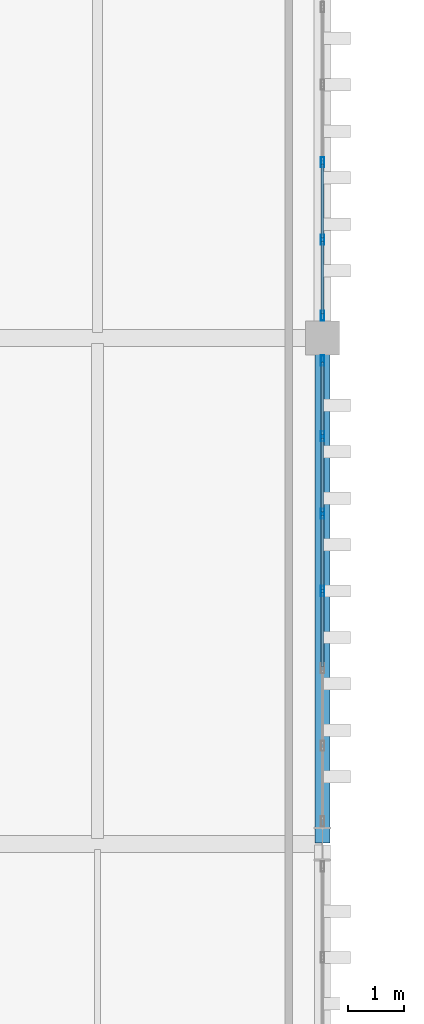
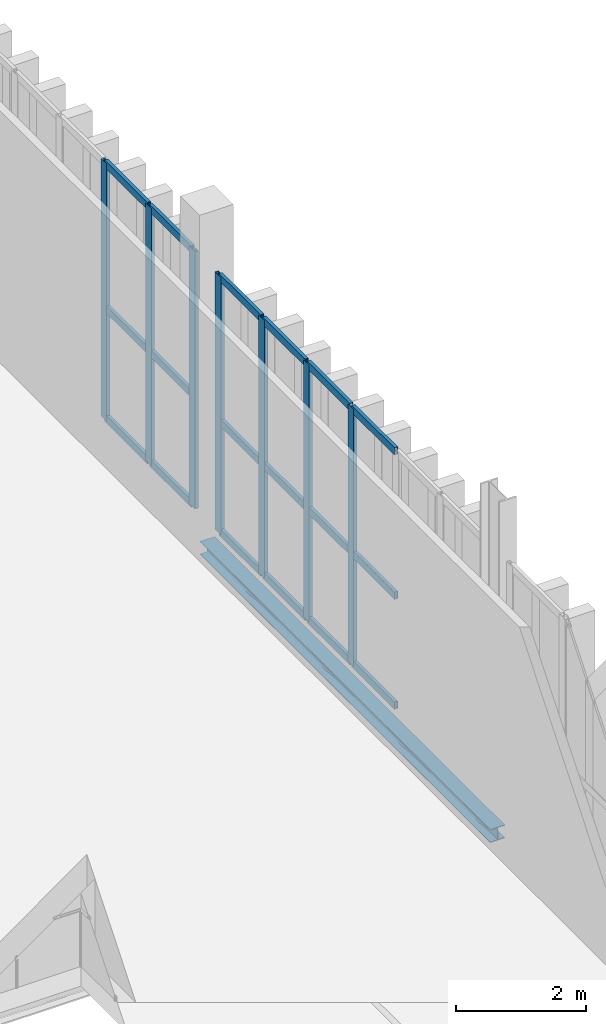
# One storey, part 131 of 237: 25 members, 1 beam, 2 elements without a shape of their own.
"""IFC4 building model written with IfcOpenShell, lengths in metres."""

from ifc_helpers import new_model, si_unit, direction, frame, origin, origin_2d, place, context, subcontext, project, spatial, hollow_rectangle, i_section, extrude, material, layer, layer_set, material_profile, profile_set, type_object, element, aggregate, save


model = new_model("IFC4")

# Units and contexts
model_context = context("Model", 3, precision=1e-05, world=origin(), true_north=direction((0.0, 1.0)))
body_context = subcontext(model_context, "Body", "Model", "MODEL_VIEW")
ifc_project = project(units=[si_unit("LENGTHUNIT", "METRE"), si_unit("AREAUNIT", "SQUARE_METRE"), si_unit("VOLUMEUNIT", "CUBIC_METRE"), si_unit("PLANEANGLEUNIT", "RADIAN"), si_unit("MASSUNIT", "GRAM", prefix="KILO")], contexts=[model_context])

# Site, building, storey
site_placement = place(None, origin())
site = spatial("IfcSite", under=ifc_project, at=site_placement, CompositionType="ELEMENT")
building_placement = place(site_placement, origin())
building = spatial("IfcBuilding", under=site, at=building_placement, Name="Barlavento Convention Centre", CompositionType="ELEMENT")
storey_placement = place(building_placement, frame((0.0, 0.0, 12.0)))
storey = spatial("IfcBuildingStorey", under=building, at=storey_placement, Name="L02", CompositionType="ELEMENT", Elevation=12.0)

# Curtain wall, members
ifc_material_1 = material(Name="Powder-coated aluminium and Low-E glass", Category="aluminium")
ifc_layer = layer(ifc_material_1, 0.195068359375)
ifc_layer_set = layer_set([ifc_layer], Name="ARC-CW-BALL-L02")
curtain_wall_type = type_object("IfcCurtainWallType", Name="ARC-CW-BALL-L02", PredefinedType="NOTDEFINED", material=ifc_layer_set)
curtain_wall_1_placement = place(storey_placement, origin())
curtain_wall_1 = element("IfcCurtainWall", 1, at=curtain_wall_1_placement, inside=storey, type_object=curtain_wall_type, Name="L02 unitised curtain wall CW07", PredefinedType="NOTDEFINED")
ifc_material_2 = material(Name="Powder-coated aluminium", Category="aluminium")
ifc_material_profile_1 = material_profile(ifc_material_2, hollow_rectangle(XDim=0.06005859375, YDim=0.179931640625, WallThickness=0.0048828125, at=origin_2d()), Name="AL-MULL 60x180x5")
ifc_profile_set_1 = profile_set([ifc_material_profile_1], Name="Powder-coated aluminium")
member_type_1 = type_object("IfcMemberType", Name="ARC-CWM-60X180", PredefinedType="MULLION", material=ifc_profile_set_1)
member_1_placement = place(storey_placement, frame((192.0, 22.5, 0.0), z_axis=(0.0, 0.0, 1.0), x_axis=(-1.0, 0.0, 0.0)))
member_1 = element("IfcMember", 2, at=member_1_placement, type_object=member_type_1, Name="CW07 mullion 4", PredefinedType="MULLION", context=body_context, shape_type="SweptSolid", body=[
    extrude(hollow_rectangle(XDim=0.06005859375, YDim=0.179931640625, WallThickness=0.0048828125, at=origin_2d()), origin(), (0.0, 0.0, 1.0), 4.85009765625),
])
member_2_placement = place(storey_placement, frame((192.0, 23.876708984375, 0.0), z_axis=(0.0, 0.0, 1.0), x_axis=(-1.0, 0.0, 0.0)))
member_2 = element("IfcMember", 3, at=member_2_placement, type_object=member_type_1, Name="CW07 mullion 5", PredefinedType="MULLION", context=body_context, shape_type="SweptSolid", body=[
    extrude(hollow_rectangle(XDim=0.06005859375, YDim=0.179931640625, WallThickness=0.0048828125, at=origin_2d()), origin(), (0.0, 0.0, 1.0), 4.85009765625),
])
member_3_placement = place(storey_placement, frame((192.0, 25.25341796875, 0.0), z_axis=(0.0, 0.0, 1.0), x_axis=(-1.0, 0.0, 0.0)))
member_3 = element("IfcMember", 4, at=member_3_placement, type_object=member_type_1, Name="CW07 mullion 6", PredefinedType="MULLION", context=body_context, shape_type="SweptSolid", body=[
    extrude(hollow_rectangle(XDim=0.06005859375, YDim=0.179931640625, WallThickness=0.0048828125, at=origin_2d()), origin(), (0.0, 0.0, 1.0), 4.85009765625),
])
member_4_placement = place(storey_placement, frame((192.0, 26.60009765625, 0.0), z_axis=(0.0, 0.0, 1.0), x_axis=(-1.0, 0.0, 0.0)))
member_4 = element("IfcMember", 5, at=member_4_placement, type_object=member_type_1, Name="CW07 mullion 7", PredefinedType="MULLION", context=body_context, shape_type="SweptSolid", body=[
    extrude(hollow_rectangle(XDim=0.06005859375, YDim=0.179931640625, WallThickness=0.0048828125, at=origin_2d()), origin(), (0.0, 0.0, 1.0), 4.85009765625),
])

curtain_wall_2_placement = place(storey_placement, origin())
curtain_wall_2 = element("IfcCurtainWall", 6, at=curtain_wall_2_placement, inside=storey, type_object=curtain_wall_type, Name="L02 unitised curtain wall CW07", PredefinedType="NOTDEFINED")
member_5_placement = place(storey_placement, frame((192.0, 27.39990234375, 0.0), z_axis=(0.0, 0.0, 1.0), x_axis=(-1.0, 0.0, 0.0)))
member_5 = element("IfcMember", 7, at=member_5_placement, type_object=member_type_1, Name="CW07 mullion 1", PredefinedType="MULLION", context=body_context, shape_type="SweptSolid", body=[
    extrude(hollow_rectangle(XDim=0.06005859375, YDim=0.179931640625, WallThickness=0.0048828125, at=origin_2d()), origin(), (0.0, 0.0, 1.0), 4.85009765625),
])
member_6_placement = place(storey_placement, frame((192.0, 28.7490234375, 0.0), z_axis=(0.0, 0.0, 1.0), x_axis=(-1.0, 0.0, 0.0)))
member_6 = element("IfcMember", 8, at=member_6_placement, type_object=member_type_1, Name="CW07 mullion 2", PredefinedType="MULLION", context=body_context, shape_type="SweptSolid", body=[
    extrude(hollow_rectangle(XDim=0.06005859375, YDim=0.179931640625, WallThickness=0.0048828125, at=origin_2d()), origin(), (0.0, 0.0, 1.0), 4.85009765625),
])
member_7_placement = place(storey_placement, frame((192.0, 30.1279296875, 0.0), z_axis=(0.0, 0.0, 1.0), x_axis=(-1.0, 0.0, 0.0)))
member_7 = element("IfcMember", 9, at=member_7_placement, type_object=member_type_1, Name="CW07 mullion 3", PredefinedType="MULLION", context=body_context, shape_type="SweptSolid", body=[
    extrude(hollow_rectangle(XDim=0.06005859375, YDim=0.179931640625, WallThickness=0.0048828125, at=origin_2d()), origin(), (0.0, 0.0, 1.0), 4.85009765625),
])

# Member
ifc_material_profile_2 = material_profile(ifc_material_2, hollow_rectangle(XDim=0.06005859375, YDim=0.139892578125, WallThickness=0.00390625, at=origin_2d()), Name="AL-TRAN 60x140x4")
ifc_profile_set_2 = profile_set([ifc_material_profile_2], Name="Powder-coated aluminium")
member_type_2 = type_object("IfcMemberType", Name="ARC-CWT-60X140", PredefinedType="USERDEFINED", material=ifc_profile_set_2)
member_8_placement = place(storey_placement, frame((192.0, 21.1533203125, 0.030029296875), z_axis=(0.0, 1.0, 0.0), x_axis=(-1.0, 0.0, 0.0)))
member_8 = element("IfcMember", 10, at=member_8_placement, type_object=member_type_2, Name="CW07 transom 3.1", ObjectType="TRANSOM", PredefinedType="USERDEFINED", context=body_context, shape_type="SweptSolid", body=[
    extrude(hollow_rectangle(XDim=0.06005859375, YDim=0.139892578125, WallThickness=0.00390625, at=origin_2d()), origin(), (0.0, 0.0, 1.0), 1.316650390625),
])

member_9_placement = place(storey_placement, frame((192.0, 21.1533203125, 2.10009765625), z_axis=(0.0, 1.0, 0.0), x_axis=(-1.0, 0.0, 0.0)))
member_9 = element("IfcMember", 11, at=member_9_placement, type_object=member_type_2, Name="CW07 transom 3.2", ObjectType="TRANSOM", PredefinedType="USERDEFINED", context=body_context, shape_type="SweptSolid", body=[
    extrude(hollow_rectangle(XDim=0.06005859375, YDim=0.139892578125, WallThickness=0.00390625, at=origin_2d()), origin(), (0.0, 0.0, 1.0), 1.316650390625),
])

member_10_placement = place(storey_placement, frame((192.0, 21.1533203125, 4.820068359375), z_axis=(0.0, 1.0, 0.0), x_axis=(-1.0, 0.0, 0.0)))
member_10 = element("IfcMember", 12, at=member_10_placement, type_object=member_type_2, Name="CW07 transom 3.3", ObjectType="TRANSOM", PredefinedType="USERDEFINED", context=body_context, shape_type="SweptSolid", body=[
    extrude(hollow_rectangle(XDim=0.06005859375, YDim=0.139892578125, WallThickness=0.00390625, at=origin_2d()), origin(), (0.0, 0.0, 1.0), 1.316650390625),
])

member_11_placement = place(storey_placement, frame((192.0, 22.530029296875, 0.030029296875), z_axis=(0.0, 1.0, 0.0), x_axis=(-1.0, 0.0, 0.0)))
member_11 = element("IfcMember", 13, at=member_11_placement, type_object=member_type_2, Name="CW07 transom 4.1", ObjectType="TRANSOM", PredefinedType="USERDEFINED", context=body_context, shape_type="SweptSolid", body=[
    extrude(hollow_rectangle(XDim=0.06005859375, YDim=0.139892578125, WallThickness=0.00390625, at=origin_2d()), origin(), (0.0, 0.0, 1.0), 1.316650390625),
])

member_12_placement = place(storey_placement, frame((192.0, 22.530029296875, 2.10009765625), z_axis=(0.0, 1.0, 0.0), x_axis=(-1.0, 0.0, 0.0)))
member_12 = element("IfcMember", 14, at=member_12_placement, type_object=member_type_2, Name="CW07 transom 4.2", ObjectType="TRANSOM", PredefinedType="USERDEFINED", context=body_context, shape_type="SweptSolid", body=[
    extrude(hollow_rectangle(XDim=0.06005859375, YDim=0.139892578125, WallThickness=0.00390625, at=origin_2d()), origin(), (0.0, 0.0, 1.0), 1.316650390625),
])

member_13_placement = place(storey_placement, frame((192.0, 22.530029296875, 4.820068359375), z_axis=(0.0, 1.0, 0.0), x_axis=(-1.0, 0.0, 0.0)))
member_13 = element("IfcMember", 15, at=member_13_placement, type_object=member_type_2, Name="CW07 transom 4.3", ObjectType="TRANSOM", PredefinedType="USERDEFINED", context=body_context, shape_type="SweptSolid", body=[
    extrude(hollow_rectangle(XDim=0.06005859375, YDim=0.139892578125, WallThickness=0.00390625, at=origin_2d()), origin(), (0.0, 0.0, 1.0), 1.316650390625),
])

member_14_placement = place(storey_placement, frame((192.0, 23.90673828125, 0.030029296875), z_axis=(0.0, 1.0, 0.0), x_axis=(-1.0, 0.0, 0.0)))
member_14 = element("IfcMember", 16, at=member_14_placement, type_object=member_type_2, Name="CW07 transom 5.1", ObjectType="TRANSOM", PredefinedType="USERDEFINED", context=body_context, shape_type="SweptSolid", body=[
    extrude(hollow_rectangle(XDim=0.06005859375, YDim=0.139892578125, WallThickness=0.00390625, at=origin_2d()), origin(), (0.0, 0.0, 1.0), 1.316650390625),
])

member_15_placement = place(storey_placement, frame((192.0, 23.90673828125, 2.10009765625), z_axis=(0.0, 1.0, 0.0), x_axis=(-1.0, 0.0, 0.0)))
member_15 = element("IfcMember", 17, at=member_15_placement, type_object=member_type_2, Name="CW07 transom 5.2", ObjectType="TRANSOM", PredefinedType="USERDEFINED", context=body_context, shape_type="SweptSolid", body=[
    extrude(hollow_rectangle(XDim=0.06005859375, YDim=0.139892578125, WallThickness=0.00390625, at=origin_2d()), origin(), (0.0, 0.0, 1.0), 1.316650390625),
])

member_16_placement = place(storey_placement, frame((192.0, 23.90673828125, 4.820068359375), z_axis=(0.0, 1.0, 0.0), x_axis=(-1.0, 0.0, 0.0)))
member_16 = element("IfcMember", 18, at=member_16_placement, type_object=member_type_2, Name="CW07 transom 5.3", ObjectType="TRANSOM", PredefinedType="USERDEFINED", context=body_context, shape_type="SweptSolid", body=[
    extrude(hollow_rectangle(XDim=0.06005859375, YDim=0.139892578125, WallThickness=0.00390625, at=origin_2d()), origin(), (0.0, 0.0, 1.0), 1.316650390625),
])

member_17_placement = place(storey_placement, frame((192.0, 25.283447265625, 0.030029296875), z_axis=(0.0, 1.0, 0.0), x_axis=(-1.0, 0.0, 0.0)))
member_17 = element("IfcMember", 19, at=member_17_placement, type_object=member_type_2, Name="CW07 transom 6.1", ObjectType="TRANSOM", PredefinedType="USERDEFINED", context=body_context, shape_type="SweptSolid", body=[
    extrude(hollow_rectangle(XDim=0.06005859375, YDim=0.139892578125, WallThickness=0.00390625, at=origin_2d()), origin(), (0.0, 0.0, 1.0), 1.28662109375),
])

member_18_placement = place(storey_placement, frame((192.0, 25.283447265625, 2.10009765625), z_axis=(0.0, 1.0, 0.0), x_axis=(-1.0, 0.0, 0.0)))
member_18 = element("IfcMember", 20, at=member_18_placement, type_object=member_type_2, Name="CW07 transom 6.2", ObjectType="TRANSOM", PredefinedType="USERDEFINED", context=body_context, shape_type="SweptSolid", body=[
    extrude(hollow_rectangle(XDim=0.06005859375, YDim=0.139892578125, WallThickness=0.00390625, at=origin_2d()), origin(), (0.0, 0.0, 1.0), 1.28662109375),
])

member_19_placement = place(storey_placement, frame((192.0, 25.283447265625, 4.820068359375), z_axis=(0.0, 1.0, 0.0), x_axis=(-1.0, 0.0, 0.0)))
member_19 = element("IfcMember", 21, at=member_19_placement, type_object=member_type_2, Name="CW07 transom 6.3", ObjectType="TRANSOM", PredefinedType="USERDEFINED", context=body_context, shape_type="SweptSolid", body=[
    extrude(hollow_rectangle(XDim=0.06005859375, YDim=0.139892578125, WallThickness=0.00390625, at=origin_2d()), origin(), (0.0, 0.0, 1.0), 1.28662109375),
])

aggregate(curtain_wall_1, [member_1, member_2, member_3, member_4, member_8, member_9, member_10, member_11, member_12, member_13, member_14, member_15, member_16, member_17, member_18, member_19])

member_20_placement = place(storey_placement, frame((192.0, 27.429931640625, 0.030029296875), z_axis=(0.0, 1.0, 0.0), x_axis=(-1.0, 0.0, 0.0)))
member_20 = element("IfcMember", 22, at=member_20_placement, type_object=member_type_2, Name="CW07 transom 1.1", ObjectType="TRANSOM", PredefinedType="USERDEFINED", context=body_context, shape_type="SweptSolid", body=[
    extrude(hollow_rectangle(XDim=0.06005859375, YDim=0.139892578125, WallThickness=0.00390625, at=origin_2d()), origin(), (0.0, 0.0, 1.0), 1.2890625),
])

member_21_placement = place(storey_placement, frame((192.0, 27.429931640625, 2.10009765625), z_axis=(0.0, 1.0, 0.0), x_axis=(-1.0, 0.0, 0.0)))
member_21 = element("IfcMember", 23, at=member_21_placement, type_object=member_type_2, Name="CW07 transom 1.2", ObjectType="TRANSOM", PredefinedType="USERDEFINED", context=body_context, shape_type="SweptSolid", body=[
    extrude(hollow_rectangle(XDim=0.06005859375, YDim=0.139892578125, WallThickness=0.00390625, at=origin_2d()), origin(), (0.0, 0.0, 1.0), 1.2890625),
])

member_22_placement = place(storey_placement, frame((192.0, 27.429931640625, 4.820068359375), z_axis=(0.0, 1.0, 0.0), x_axis=(-1.0, 0.0, 0.0)))
member_22 = element("IfcMember", 24, at=member_22_placement, type_object=member_type_2, Name="CW07 transom 1.3", ObjectType="TRANSOM", PredefinedType="USERDEFINED", context=body_context, shape_type="SweptSolid", body=[
    extrude(hollow_rectangle(XDim=0.06005859375, YDim=0.139892578125, WallThickness=0.00390625, at=origin_2d()), origin(), (0.0, 0.0, 1.0), 1.2890625),
])

member_23_placement = place(storey_placement, frame((192.0, 28.779052734375, 0.030029296875), z_axis=(0.0, 1.0, 0.0), x_axis=(-1.0, 0.0, 0.0)))
member_23 = element("IfcMember", 25, at=member_23_placement, type_object=member_type_2, Name="CW07 transom 2.1", ObjectType="TRANSOM", PredefinedType="USERDEFINED", context=body_context, shape_type="SweptSolid", body=[
    extrude(hollow_rectangle(XDim=0.06005859375, YDim=0.139892578125, WallThickness=0.00390625, at=origin_2d()), origin(), (0.0, 0.0, 1.0), 1.31884765625),
])

member_24_placement = place(storey_placement, frame((192.0, 28.779052734375, 2.10009765625), z_axis=(0.0, 1.0, 0.0), x_axis=(-1.0, 0.0, 0.0)))
member_24 = element("IfcMember", 26, at=member_24_placement, type_object=member_type_2, Name="CW07 transom 2.2", ObjectType="TRANSOM", PredefinedType="USERDEFINED", context=body_context, shape_type="SweptSolid", body=[
    extrude(hollow_rectangle(XDim=0.06005859375, YDim=0.139892578125, WallThickness=0.00390625, at=origin_2d()), origin(), (0.0, 0.0, 1.0), 1.31884765625),
])

member_25_placement = place(storey_placement, frame((192.0, 28.779052734375, 4.820068359375), z_axis=(0.0, 1.0, 0.0), x_axis=(-1.0, 0.0, 0.0)))
member_25 = element("IfcMember", 27, at=member_25_placement, type_object=member_type_2, Name="CW07 transom 2.3", ObjectType="TRANSOM", PredefinedType="USERDEFINED", context=body_context, shape_type="SweptSolid", body=[
    extrude(hollow_rectangle(XDim=0.06005859375, YDim=0.139892578125, WallThickness=0.00390625, at=origin_2d()), origin(), (0.0, 0.0, 1.0), 1.31884765625),
])

aggregate(curtain_wall_2, [member_5, member_6, member_7, member_20, member_21, member_22, member_23, member_24, member_25])

# Beam
ifc_material_3 = material(Name="Steel S355", Category="steel")
ifc_material_profile_3 = material_profile(ifc_material_3, i_section(OverallWidth=0.260009765625, OverallDepth=0.25, WebThickness=0.007568359375, FlangeThickness=0.012451171875, FilletRadius=0.02392578125, at=origin_2d()), Name="HEA 260")
ifc_profile_set_3 = profile_set([ifc_material_profile_3], Name="Steel S355")
beam_type = type_object("IfcBeamType", Name="STR-BM-SPN-HEA260", PredefinedType="SPANDREL", material=ifc_profile_set_3)
beam_placement = place(storey_placement, frame((192.0, 18.02001953125, -0.4951171875), z_axis=(0.0, 1.0, 0.0), x_axis=(-1.0, 0.0, 0.0)))
element("IfcBeam", 28, at=beam_placement, inside=storey, type_object=beam_type, Name="L02 grid girder SP04", PredefinedType="SPANDREL", context=body_context, shape_type="SweptSolid", body=[
    extrude(i_section(OverallWidth=0.260009765625, OverallDepth=0.25, WebThickness=0.007568359375, FlangeThickness=0.012451171875, FilletRadius=0.02392578125, at=origin_2d()), origin(), (0.0, 0.0, 1.0), 8.9599609375),
])

save(model, "model.ifc")
